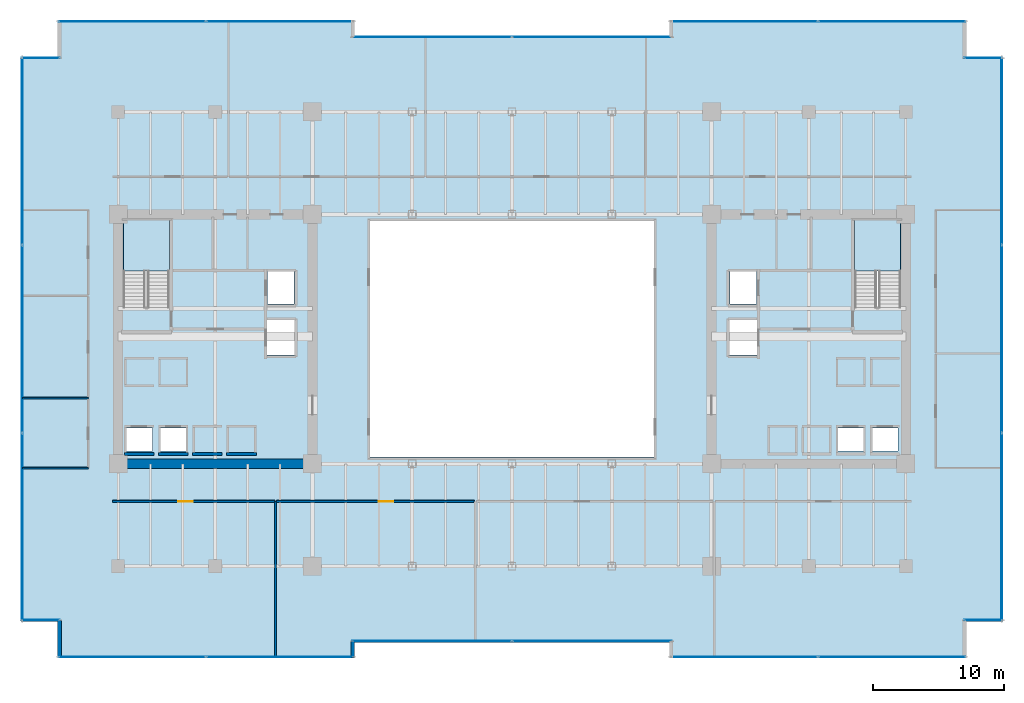
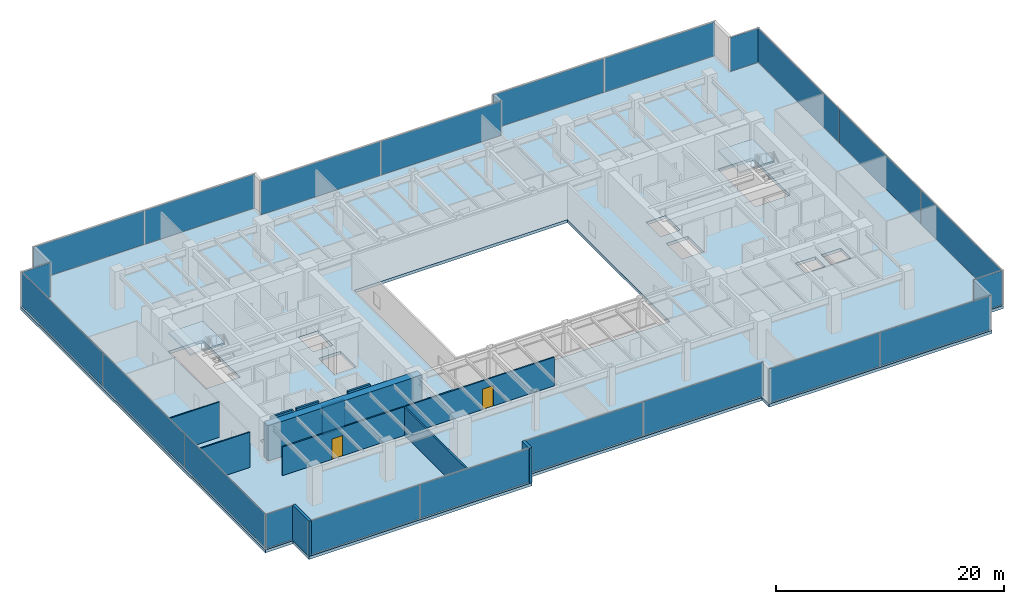
# One storey, part 28 of 35: 22 plates, 12 walls, 3 slabs, 2 doors, 2 openings, 14 elements without a shape of their own.
"""IFC4 building model written with IfcOpenShell, lengths in metres."""

from ifc_helpers import new_model, si_unit, direction, frame, frame_2d, origin, origin_2d, place, context, subcontext, project, spatial, polyline, rectangle, outline, extrude, source, transform, mapped, material, layer, layer_set, type_object, type_shapes, element, fill, aggregate, save


model = new_model("IFC4")

# Units and contexts
model_context = context("Model", 3, precision=1e-05, world=origin(), true_north=direction((0.0, 1.0)))
body_context = subcontext(model_context, "Body", "Model", "MODEL_VIEW")
ifc_project = project(units=[si_unit("LENGTHUNIT", "METRE"), si_unit("AREAUNIT", "SQUARE_METRE"), si_unit("VOLUMEUNIT", "CUBIC_METRE"), si_unit("PLANEANGLEUNIT", "RADIAN"), si_unit("MASSUNIT", "GRAM", prefix="KILO")], contexts=[model_context])

# Site, building, storey
site_placement = place(None, origin())
site = spatial("IfcSite", under=ifc_project, at=site_placement, CompositionType="ELEMENT")
building_placement = place(site_placement, origin())
building = spatial("IfcBuilding", under=site, at=building_placement, Name="Haelvirn Gate Laboratories", CompositionType="ELEMENT")
storey_placement = place(building_placement, frame((0.0, 0.0, 37.5)))
storey = spatial("IfcBuildingStorey", under=building, at=storey_placement, Name="L09", CompositionType="ELEMENT", Elevation=37.5)

# Stair, slab
ifc_material_1 = material(Name="Concrete C40/50", Category="concrete")
stair_type = type_object("IfcStairType", Name="ST-DOG-1650-R22", PredefinedType="HALF_TURN_STAIR", material=ifc_material_1)
stair_1_placement = place(storey_placement, origin())
stair_1 = element("IfcStair", 1, at=stair_1_placement, inside=storey, type_object=stair_type, Name="L09 Escape Stair ST1", PredefinedType="HALF_TURN_STAIR")
ifc_layer_1 = layer(ifc_material_1, 0.199951171875, Name="SL-STAIR-LND")
ifc_layer_set_1 = layer_set([ifc_layer_1], Name="Concrete C40/50")
slab_type_1 = type_object("IfcSlabType", Name="SL-STAIR-LND", PredefinedType="LANDING", material=ifc_layer_set_1)
slab_1_placement = place(storey_placement, frame((0.0, 0.0, 1.85009765625)))
slab_1 = element("IfcSlab", 2, at=slab_1_placement, type_object=slab_type_1, Name="ST1 landing 1", PredefinedType="LANDING", context=body_context, shape_type="SweptSolid", body=[
    extrude(outline(polyline([(11.300048828125, 29.5), (11.300048828125, 33.35009765625), (7.800048828125, 33.35009765625), (7.800048828125, 29.5), (11.300048828125, 29.5)])), origin(), (0.0, 0.0, 1.0), 0.199951171875),
])
aggregate(stair_1, [slab_1])

stair_2_placement = place(storey_placement, origin())
stair_2 = element("IfcStair", 3, at=stair_2_placement, inside=storey, type_object=stair_type, Name="L09 Escape Stair ST2", PredefinedType="HALF_TURN_STAIR")
slab_2_placement = place(storey_placement, frame((0.0, 0.0, 1.85009765625)))
slab_2 = element("IfcSlab", 4, at=slab_2_placement, type_object=slab_type_1, Name="ST2 landing 1", PredefinedType="LANDING", context=body_context, shape_type="SweptSolid", body=[
    extrude(outline(polyline([(67.0, 29.5), (67.0, 33.35009765625), (63.5, 33.35009765625), (63.5, 29.5), (67.0, 29.5)])), origin(), (0.0, 0.0, 1.0), 0.199951171875),
])
aggregate(stair_2, [slab_2])

# Slab
ifc_material_2 = material(Name="Concrete C50/60", Category="concrete")
ifc_layer_2 = layer(ifc_material_2, 0.320068359375, Name="SL-Z1-320")
ifc_layer_set_2 = layer_set([ifc_layer_2], Name="Concrete C50/60")
slab_type_2 = type_object("IfcSlabType", Name="SL-Z1-320", PredefinedType="FLOOR", material=ifc_layer_set_2)
slab_3_placement = place(storey_placement, frame((0.0, 0.0, -0.320068359375)))
element("IfcSlab", 5, at=slab_3_placement, inside=storey, type_object=slab_type_2, Name="L09 Structural Slab MAIN", PredefinedType="FLOOR", context=body_context, shape_type="SweptSolid", body=[
    extrude(outline(polyline([(2.800048828125, 0.0), (25.39990234375, 0.0), (25.39990234375, 1.199951171875), (49.39990234375, 1.199951171875), (49.39990234375, 0.0), (72.0, 0.0), (72.0, 2.800048828125), (74.800048828125, 2.800048828125), (74.800048828125, 45.800048828125), (72.0, 45.800048828125), (72.0, 48.60009765625), (49.39990234375, 48.60009765625), (49.39990234375, 47.39990234375), (25.39990234375, 47.39990234375), (25.39990234375, 48.60009765625), (2.800048828125, 48.60009765625), (2.800048828125, 45.800048828125), (0.0, 45.800048828125), (0.0, 2.800048828125), (2.800048828125, 2.800048828125), (2.800048828125, 0.0)]), holes=[polyline([(26.60009765625, 15.300048828125), (48.199951171875, 15.300048828125), (48.199951171875, 33.300048828125), (26.60009765625, 33.300048828125), (26.60009765625, 15.300048828125)]), polyline([(11.300048828125, 26.780029296875), (11.300048828125, 33.35009765625), (7.800048828125, 33.35009765625), (7.800048828125, 26.780029296875), (11.300048828125, 26.780029296875)]), polyline([(67.0, 26.780029296875), (67.0, 33.35009765625), (63.5, 33.35009765625), (63.5, 26.780029296875), (67.0, 26.780029296875)]), polyline([(7.989990234375, 15.77001953125), (10.010009765625, 15.77001953125), (10.010009765625, 17.510009765625), (7.989990234375, 17.510009765625), (7.989990234375, 15.77001953125)]), polyline([(10.590087890625, 15.77001953125), (12.610107421875, 15.77001953125), (12.610107421875, 17.510009765625), (10.590087890625, 17.510009765625), (10.590087890625, 15.77001953125)]), polyline([(18.7900390625, 26.969970703125), (20.81005859375, 26.969970703125), (20.81005859375, 29.510009765625), (18.7900390625, 29.510009765625), (18.7900390625, 26.969970703125)]), polyline([(18.68994140625, 23.070068359375), (20.909912109375, 23.070068359375), (20.909912109375, 25.81005859375), (18.68994140625, 25.81005859375), (18.68994140625, 23.070068359375)]), polyline([(64.7900390625, 15.77001953125), (66.81005859375, 15.77001953125), (66.81005859375, 17.510009765625), (64.7900390625, 17.510009765625), (64.7900390625, 15.77001953125)]), polyline([(62.18994140625, 15.77001953125), (64.2099609375, 15.77001953125), (64.2099609375, 17.510009765625), (62.18994140625, 17.510009765625), (62.18994140625, 15.77001953125)]), polyline([(53.989990234375, 26.969970703125), (56.010009765625, 26.969970703125), (56.010009765625, 29.510009765625), (53.989990234375, 29.510009765625), (53.989990234375, 26.969970703125)]), polyline([(53.889892578125, 23.070068359375), (56.110107421875, 23.070068359375), (56.110107421875, 25.81005859375), (53.889892578125, 25.81005859375), (53.889892578125, 23.070068359375)])]), origin(), (0.0, 0.0, 1.0), 0.320068359375),
])

# Curtain wall, plates
ifc_material_3 = material(Name="Anodised bronze unitised aluminium & triple low-E glass", Category="aluminium")
ifc_layer_3 = layer(ifc_material_3, 0.18408203125, Name="CW-SYS-2")
ifc_layer_set_3 = layer_set([ifc_layer_3], Name="Anodised bronze unitised aluminium & triple low-E glass")
curtain_wall_type_1 = type_object("IfcCurtainWallType", Name="CW-SYS-2", PredefinedType="NOTDEFINED", material=ifc_layer_set_3)
curtain_wall_1_placement = place(storey_placement, origin())
curtain_wall_1 = element("IfcCurtainWall", 6, at=curtain_wall_1_placement, inside=storey, type_object=curtain_wall_type_1, Name="L09 Unitised Curtain Wall CW-L09-P0-E02-1", PredefinedType="NOTDEFINED")
ifc_material_4 = material(Name="Bronze solar-control triple low-E IGU 44 mm", Category="glass")
ifc_layer_4 = layer(ifc_material_4, 0.0439453125, Name="CWP-IGU-44")
ifc_layer_set_4 = layer_set([ifc_layer_4], Name="Bronze solar-control triple low-E IGU 44 mm")
plate_type_1 = type_object("IfcPlateType", Name="CWP-IGU-44", PredefinedType="CURTAIN_PANEL", material=ifc_layer_set_4)
shared_shape_1 = source(origin(), body_context, "Body", "SweptSolid", [
    extrude(rectangle(XDim=12.12744140625, YDim=0.0439453125, at=origin_2d()), origin(), (0.0, 0.0, 1.0), 3.639892578125),
])
plate_1_placement = place(storey_placement, frame((31.298828125, 1.300048828125, 0.06982421875), z_axis=(0.0, 0.0, 1.0), x_axis=(1.0, 0.0, 0.0)))
plate_1 = element("IfcPlate", 7, at=plate_1_placement, type_object=plate_type_1, Name="CW2 panel 1.1", PredefinedType="CURTAIN_PANEL", context=body_context, shape_type="MappedRepresentation", body=[
    mapped(shared_shape_1, transform((0.0, 0.0, 0.0), scale=1.0)),
])
plate_2_placement = place(storey_placement, frame((43.501220703125, 1.300048828125, 0.06982421875), z_axis=(0.0, 0.0, 1.0), x_axis=(1.0, 0.0, 0.0)))
plate_2 = element("IfcPlate", 8, at=plate_2_placement, type_object=plate_type_1, Name="CW2 panel 2.1", PredefinedType="CURTAIN_PANEL", context=body_context, shape_type="MappedRepresentation", body=[
    mapped(shared_shape_1, transform((0.0, 0.0, 0.0), scale=1.0)),
])
aggregate(curtain_wall_1, [plate_1, plate_2])

curtain_wall_2_placement = place(storey_placement, origin())
curtain_wall_2 = element("IfcCurtainWall", 9, at=curtain_wall_2_placement, inside=storey, type_object=curtain_wall_type_1, Name="L09 Unitised Curtain Wall CW-L09-P0-E12-1", PredefinedType="NOTDEFINED")
plate_3_placement = place(storey_placement, frame((31.298828125, 47.300048828125, 0.06982421875), z_axis=(0.0, 0.0, 1.0), x_axis=(1.0, 0.0, 0.0)))
plate_3 = element("IfcPlate", 10, at=plate_3_placement, type_object=plate_type_1, Name="CW2 panel 1.1", PredefinedType="CURTAIN_PANEL", context=body_context, shape_type="MappedRepresentation", body=[
    mapped(shared_shape_1, transform((0.0, 0.0, 0.0), scale=1.0)),
])
plate_4_placement = place(storey_placement, frame((43.501220703125, 47.300048828125, 0.06982421875), z_axis=(0.0, 0.0, 1.0), x_axis=(1.0, 0.0, 0.0)))
plate_4 = element("IfcPlate", 11, at=plate_4_placement, type_object=plate_type_1, Name="CW2 panel 2.1", PredefinedType="CURTAIN_PANEL", context=body_context, shape_type="MappedRepresentation", body=[
    mapped(shared_shape_1, transform((0.0, 0.0, 0.0), scale=1.0)),
])
aggregate(curtain_wall_2, [plate_3, plate_4])

curtain_wall_3_placement = place(storey_placement, origin())
curtain_wall_3 = element("IfcCurtainWall", 12, at=curtain_wall_3_placement, inside=storey, type_object=curtain_wall_type_1, Name="L09 Unitised Curtain Wall CW-L09-P0-E00-1", PredefinedType="NOTDEFINED")
shared_shape_2 = source(origin(), body_context, "Body", "SweptSolid", [
    extrude(rectangle(XDim=11.1875, YDim=0.0439453125, at=origin_2d()), origin(), (0.0, 0.0, 1.0), 3.639892578125),
])
plate_5_placement = place(storey_placement, frame((8.46875, 0.10009765625, 0.06982421875), z_axis=(0.0, 0.0, 1.0), x_axis=(1.0, 0.0, 0.0)))
plate_5 = element("IfcPlate", 13, at=plate_5_placement, type_object=plate_type_1, Name="CW2 panel 1.1", PredefinedType="CURTAIN_PANEL", context=body_context, shape_type="MappedRepresentation", body=[
    mapped(shared_shape_2, transform((0.0, 0.0, 0.0), scale=1.0)),
])
plate_6_placement = place(storey_placement, frame((19.731201171875, 0.10009765625, 0.06982421875), z_axis=(0.0, 0.0, 1.0), x_axis=(1.0, 0.0, 0.0)))
plate_6 = element("IfcPlate", 14, at=plate_6_placement, type_object=plate_type_1, Name="CW2 panel 2.1", PredefinedType="CURTAIN_PANEL", context=body_context, shape_type="MappedRepresentation", body=[
    mapped(shared_shape_2, transform((0.0, 0.0, 0.0), scale=1.0)),
])
aggregate(curtain_wall_3, [plate_5, plate_6])

curtain_wall_4_placement = place(storey_placement, origin())
curtain_wall_4 = element("IfcCurtainWall", 15, at=curtain_wall_4_placement, inside=storey, type_object=curtain_wall_type_1, Name="L09 Unitised Curtain Wall CW-L09-P0-E04-1", PredefinedType="NOTDEFINED")
plate_7_placement = place(storey_placement, frame((55.06884765625, 0.10009765625, 0.06982421875), z_axis=(0.0, 0.0, 1.0), x_axis=(1.0, 0.0, 0.0)))
plate_7 = element("IfcPlate", 16, at=plate_7_placement, type_object=plate_type_1, Name="CW2 panel 1.1", PredefinedType="CURTAIN_PANEL", context=body_context, shape_type="MappedRepresentation", body=[
    mapped(shared_shape_2, transform((0.0, 0.0, 0.0), scale=1.0)),
])
plate_8_placement = place(storey_placement, frame((66.331298828125, 0.10009765625, 0.06982421875), z_axis=(0.0, 0.0, 1.0), x_axis=(1.0, 0.0, 0.0)))
plate_8 = element("IfcPlate", 17, at=plate_8_placement, type_object=plate_type_1, Name="CW2 panel 2.1", PredefinedType="CURTAIN_PANEL", context=body_context, shape_type="MappedRepresentation", body=[
    mapped(shared_shape_2, transform((0.0, 0.0, 0.0), scale=1.0)),
])
aggregate(curtain_wall_4, [plate_7, plate_8])

curtain_wall_5_placement = place(storey_placement, origin())
curtain_wall_5 = element("IfcCurtainWall", 18, at=curtain_wall_5_placement, inside=storey, type_object=curtain_wall_type_1, Name="L09 Unitised Curtain Wall CW-L09-P0-E10-1", PredefinedType="NOTDEFINED")
plate_9_placement = place(storey_placement, frame((55.06884765625, 48.5, 0.06982421875), z_axis=(0.0, 0.0, 1.0), x_axis=(1.0, 0.0, 0.0)))
plate_9 = element("IfcPlate", 19, at=plate_9_placement, type_object=plate_type_1, Name="CW2 panel 1.1", PredefinedType="CURTAIN_PANEL", context=body_context, shape_type="MappedRepresentation", body=[
    mapped(shared_shape_2, transform((0.0, 0.0, 0.0), scale=1.0)),
])
plate_10_placement = place(storey_placement, frame((66.331298828125, 48.5, 0.06982421875), z_axis=(0.0, 0.0, 1.0), x_axis=(1.0, 0.0, 0.0)))
plate_10 = element("IfcPlate", 20, at=plate_10_placement, type_object=plate_type_1, Name="CW2 panel 2.1", PredefinedType="CURTAIN_PANEL", context=body_context, shape_type="MappedRepresentation", body=[
    mapped(shared_shape_2, transform((0.0, 0.0, 0.0), scale=1.0)),
])
aggregate(curtain_wall_5, [plate_9, plate_10])

curtain_wall_6_placement = place(storey_placement, origin())
curtain_wall_6 = element("IfcCurtainWall", 21, at=curtain_wall_6_placement, inside=storey, type_object=curtain_wall_type_1, Name="L09 Unitised Curtain Wall CW-L09-P0-E14-1", PredefinedType="NOTDEFINED")
plate_11_placement = place(storey_placement, frame((8.46875, 48.5, 0.06982421875), z_axis=(0.0, 0.0, 1.0), x_axis=(1.0, 0.0, 0.0)))
plate_11 = element("IfcPlate", 22, at=plate_11_placement, type_object=plate_type_1, Name="CW2 panel 1.1", PredefinedType="CURTAIN_PANEL", context=body_context, shape_type="MappedRepresentation", body=[
    mapped(shared_shape_2, transform((0.0, 0.0, 0.0), scale=1.0)),
])
plate_12_placement = place(storey_placement, frame((19.731201171875, 48.5, 0.06982421875), z_axis=(0.0, 0.0, 1.0), x_axis=(1.0, 0.0, 0.0)))
plate_12 = element("IfcPlate", 23, at=plate_12_placement, type_object=plate_type_1, Name="CW2 panel 2.1", PredefinedType="CURTAIN_PANEL", context=body_context, shape_type="MappedRepresentation", body=[
    mapped(shared_shape_2, transform((0.0, 0.0, 0.0), scale=1.0)),
])
aggregate(curtain_wall_6, [plate_11, plate_12])

# Curtain wall, plate
ifc_layer_5 = layer(ifc_material_3, 0.181884765625, Name="CW-SYS-5")
ifc_layer_set_5 = layer_set([ifc_layer_5], Name="Anodised bronze unitised aluminium & triple low-E glass")
curtain_wall_type_2 = type_object("IfcCurtainWallType", Name="CW-SYS-5", PredefinedType="NOTDEFINED", material=ifc_layer_set_5)
curtain_wall_7_placement = place(storey_placement, origin())
curtain_wall_7 = element("IfcCurtainWall", 24, at=curtain_wall_7_placement, inside=storey, type_object=curtain_wall_type_2, Name="L09 Unitised Curtain Wall CW-L09-P0-E06-1", PredefinedType="NOTDEFINED")
ifc_material_5 = material(Name="Clear low-iron notched-corner triple IGU 42 mm", Category="glass")
ifc_layer_6 = layer(ifc_material_5, 0.0419921875, Name="CWP-NTC-42")
ifc_layer_set_6 = layer_set([ifc_layer_6], Name="Clear low-iron notched-corner triple IGU 42 mm")
plate_type_2 = type_object("IfcPlateType", Name="CWP-NTC-42", PredefinedType="CURTAIN_PANEL", material=ifc_layer_set_6)
shared_shape_3 = source(origin(), body_context, "Body", "SweptSolid", [
    extrude(rectangle(XDim=2.8798828125, YDim=0.0419921875, at=origin_2d()), origin(), (0.0, 0.0, 1.0), 3.64990234375),
])
type_shapes(plate_type_2, [shared_shape_3])
plate_13_placement = place(storey_placement, frame((73.280029296875, 2.89990234375, 0.06494140625), z_axis=(0.0, 0.0, 1.0), x_axis=(1.0, 0.0, 0.0)))
plate_13 = element("IfcPlate", 25, at=plate_13_placement, type_object=plate_type_2, Name="CW5 panel 1.1", PredefinedType="CURTAIN_PANEL", context=body_context, shape_type="MappedRepresentation", body=[
    mapped(shared_shape_3, transform((0.0, 0.0, 0.0), scale=1.0)),
])
aggregate(curtain_wall_7, [plate_13])

curtain_wall_8_placement = place(storey_placement, origin())
curtain_wall_8 = element("IfcCurtainWall", 26, at=curtain_wall_8_placement, inside=storey, type_object=curtain_wall_type_2, Name="L09 Unitised Curtain Wall CW-L09-P0-E08-1", PredefinedType="NOTDEFINED")
plate_14_placement = place(storey_placement, frame((73.280029296875, 45.699951171875, 0.06494140625), z_axis=(0.0, 0.0, 1.0), x_axis=(1.0, 0.0, 0.0)))
plate_14 = element("IfcPlate", 27, at=plate_14_placement, type_object=plate_type_2, Name="CW5 panel 1.1", PredefinedType="CURTAIN_PANEL", context=body_context, shape_type="MappedRepresentation", body=[
    mapped(shared_shape_3, transform((0.0, 0.0, 0.0), scale=1.0)),
])
aggregate(curtain_wall_8, [plate_14])

curtain_wall_9_placement = place(storey_placement, origin())
curtain_wall_9 = element("IfcCurtainWall", 28, at=curtain_wall_9_placement, inside=storey, type_object=curtain_wall_type_2, Name="L09 Unitised Curtain Wall CW-L09-P0-E16-1", PredefinedType="NOTDEFINED")
plate_15_placement = place(storey_placement, frame((1.52001953125, 45.699951171875, 0.06494140625), z_axis=(0.0, 0.0, 1.0), x_axis=(1.0, 0.0, 0.0)))
plate_15 = element("IfcPlate", 29, at=plate_15_placement, type_object=plate_type_2, Name="CW5 panel 1.1", PredefinedType="CURTAIN_PANEL", context=body_context, shape_type="MappedRepresentation", body=[
    mapped(shared_shape_3, transform((0.0, 0.0, 0.0), scale=1.0)),
])
aggregate(curtain_wall_9, [plate_15])

curtain_wall_10_placement = place(storey_placement, origin())
curtain_wall_10 = element("IfcCurtainWall", 30, at=curtain_wall_10_placement, inside=storey, type_object=curtain_wall_type_2, Name="L09 Unitised Curtain Wall CW-L09-P0-E18-1", PredefinedType="NOTDEFINED")
plate_16_placement = place(storey_placement, frame((1.52001953125, 2.89990234375, 0.06494140625), z_axis=(0.0, 0.0, 1.0), x_axis=(1.0, 0.0, 0.0)))
plate_16 = element("IfcPlate", 31, at=plate_16_placement, type_object=plate_type_2, Name="CW5 panel 1.1", PredefinedType="CURTAIN_PANEL", context=body_context, shape_type="MappedRepresentation", body=[
    mapped(shared_shape_3, transform((0.0, 0.0, 0.0), scale=1.0)),
])
aggregate(curtain_wall_10, [plate_16])

# Curtain wall, plates
curtain_wall_11_placement = place(storey_placement, origin())
curtain_wall_11 = element("IfcCurtainWall", 32, at=curtain_wall_11_placement, inside=storey, type_object=curtain_wall_type_1, Name="L09 Unitised Curtain Wall CW-L09-P0-E07", PredefinedType="NOTDEFINED")
shared_shape_4 = source(origin(), body_context, "Body", "SweptSolid", [
    extrude(rectangle(XDim=14.220947265625, YDim=0.0439453125, at=origin_2d()), origin(), (0.0, 0.0, 1.0), 3.639892578125),
])
plate_17_placement = place(storey_placement, frame((74.699951171875, 9.9853515625, 0.06982421875), z_axis=(0.0, 0.0, 1.0), x_axis=(0.0, 1.0, 0.0)))
plate_17 = element("IfcPlate", 33, at=plate_17_placement, type_object=plate_type_1, Name="CW2 panel 1.1", PredefinedType="CURTAIN_PANEL", context=body_context, shape_type="MappedRepresentation", body=[
    mapped(shared_shape_4, transform((0.0, 0.0, 0.0), scale=1.0)),
])
plate_18_placement = place(storey_placement, frame((74.699951171875, 38.614501953125, 0.06982421875), z_axis=(0.0, 0.0, 1.0), x_axis=(0.0, 1.0, 0.0)))
plate_18 = element("IfcPlate", 34, at=plate_18_placement, type_object=plate_type_1, Name="CW2 panel 3.1", PredefinedType="CURTAIN_PANEL", context=body_context, shape_type="MappedRepresentation", body=[
    mapped(shared_shape_4, transform((0.0, 0.0, 0.0), scale=1.0)),
])

curtain_wall_12_placement = place(storey_placement, origin())
curtain_wall_12 = element("IfcCurtainWall", 35, at=curtain_wall_12_placement, inside=storey, type_object=curtain_wall_type_1, Name="L09 Unitised Curtain Wall CW-L09-P0-E17", PredefinedType="NOTDEFINED")
plate_19_placement = place(storey_placement, frame((0.10009765625, 38.614501953125, 0.06982421875), z_axis=(0.0, 0.0, 1.0), x_axis=(0.0, -1.0, 0.0)))
plate_19 = element("IfcPlate", 36, at=plate_19_placement, type_object=plate_type_1, Name="CW2 panel 1.1", PredefinedType="CURTAIN_PANEL", context=body_context, shape_type="MappedRepresentation", body=[
    mapped(shared_shape_4, transform((0.0, 0.0, 0.0), scale=1.0)),
])
plate_20_placement = place(storey_placement, frame((0.10009765625, 9.9853515625, 0.06982421875), z_axis=(0.0, 0.0, 1.0), x_axis=(0.0, -1.0, 0.0)))
plate_20 = element("IfcPlate", 37, at=plate_20_placement, type_object=plate_type_1, Name="CW2 panel 3.1", PredefinedType="CURTAIN_PANEL", context=body_context, shape_type="MappedRepresentation", body=[
    mapped(shared_shape_4, transform((0.0, 0.0, 0.0), scale=1.0)),
])

# Plate
shared_shape_5 = source(origin(), body_context, "Body", "SweptSolid", [
    extrude(rectangle(XDim=14.25830078125, YDim=0.0439453125, at=origin_2d()), origin(), (0.0, 0.0, 1.0), 3.639892578125),
])
type_shapes(plate_type_1, [shared_shape_1, shared_shape_2, shared_shape_4, shared_shape_5])
plate_21_placement = place(storey_placement, frame((74.699951171875, 24.300048828125, 0.06982421875), z_axis=(0.0, 0.0, 1.0), x_axis=(0.0, 1.0, 0.0)))
plate_21 = element("IfcPlate", 38, at=plate_21_placement, type_object=plate_type_1, Name="CW2 panel 2.1", PredefinedType="CURTAIN_PANEL", context=body_context, shape_type="MappedRepresentation", body=[
    mapped(shared_shape_5, transform((0.0, 0.0, 0.0), scale=1.0)),
])

aggregate(curtain_wall_11, [plate_17, plate_21, plate_18])

plate_22_placement = place(storey_placement, frame((0.10009765625, 24.300048828125, 0.06982421875), z_axis=(0.0, 0.0, 1.0), x_axis=(0.0, -1.0, 0.0)))
plate_22 = element("IfcPlate", 39, at=plate_22_placement, type_object=plate_type_1, Name="CW2 panel 2.1", PredefinedType="CURTAIN_PANEL", context=body_context, shape_type="MappedRepresentation", body=[
    mapped(shared_shape_5, transform((0.0, 0.0, 0.0), scale=1.0)),
])

aggregate(curtain_wall_12, [plate_19, plate_22, plate_20])

# Walls
ifc_material_6 = material(Name="Thermally-broken bronze aluminium rainscreen & mineral wool", Category="aluminium")
ifc_layer_7 = layer(ifc_material_6, 0.280029296875, Name="EW-TERR-280")
ifc_layer_set_7 = layer_set([ifc_layer_7], Name="Thermally-broken bronze aluminium rainscreen & mineral wool")
wall_type_1 = type_object("IfcWallType", Name="EW-TERR-280", PredefinedType="STANDARD", material=ifc_layer_set_7)
wall_1_placement = place(storey_placement, frame((25.260009765625, 0.0, 0.0), z_axis=(0.0, 0.0, 1.0), x_axis=(0.0, 1.0, 0.0)))
element("IfcWall", 40, at=wall_1_placement, inside=storey, type_object=wall_type_1, Name="L09 Atrium Recess Bronze Return Wall 01", PredefinedType="STANDARD", context=body_context, shape_type="SweptSolid", body=[
    extrude(rectangle(XDim=1.2880859375, YDim=0.280029296875, at=frame_2d((0.64404296875, 0.0))), origin(), (0.0, 0.0, 1.0), 3.780029296875),
])
wall_2_placement = place(storey_placement, frame((2.93994140625, 2.887939453125, 0.0), z_axis=(0.0, 0.0, 1.0), x_axis=(0.0, -1.0, 0.0)))
element("IfcWall", 41, at=wall_2_placement, inside=storey, type_object=wall_type_1, Name="L09 Atrium Recess Bronze Return Wall 19", PredefinedType="STANDARD", context=body_context, shape_type="SweptSolid", body=[
    extrude(rectangle(XDim=2.887939453125, YDim=0.280029296875, at=frame_2d((1.44384765625, 0.0))), origin(), (0.0, 0.0, 1.0), 3.780029296875),
])
ifc_material_7 = material(Name="Double-layer acoustic gypsum laboratory partition", Category="gypsum")
ifc_layer_8 = layer(ifc_material_7, 0.159912109375, Name="IW-ACOUST-160")
ifc_layer_set_8 = layer_set([ifc_layer_8], Name="Double-layer acoustic gypsum laboratory partition")
wall_type_2 = type_object("IfcWallType", Name="IW-ACOUST-160", PredefinedType="PARTITIONING", material=ifc_layer_set_8)
wall_3_placement = place(storey_placement, frame((19.39990234375, 0.110107421875, 0.0), z_axis=(0.0, 0.0, 1.0), x_axis=(0.0, 1.0, 0.0)))
element("IfcWall", 42, at=wall_3_placement, inside=storey, type_object=wall_type_2, Name="L09 Interior Wall IW-L09-SDIV-01", PredefinedType="PARTITIONING", context=body_context, shape_type="SweptSolid", body=[
    extrude(rectangle(XDim=11.829833984375, YDim=0.159912109375, at=frame_2d((5.9150390625, 0.0))), origin(), (0.0, 0.0, 1.0), 3.014892578125),
])
ifc_material_8 = material(Name="Lightweight acoustic gypsum board partition", Category="gypsum")
ifc_layer_9 = layer(ifc_material_8, 0.1201171875, Name="IW-PART-120")
ifc_layer_set_9 = layer_set([ifc_layer_9], Name="Lightweight acoustic gypsum board partition")
wall_type_3 = type_object("IfcWallType", Name="IW-PART-120", PredefinedType="PARTITIONING", material=ifc_layer_set_9)
for number, where, z_axis, x_axis, name in (
    (43, (0.110107421875, 14.465087890625, 0.0), (0.0, 0.0, 1.0), (1.0, 0.0, 0.0), "L09 Interior Wall IW-L09-WCAP-S"),
    (44, (0.110107421875, 19.800048828125, 0.0), (0.0, 0.0, 1.0), (1.0, 0.0, 0.0), "L09 Interior Wall IW-L09-WDIV-01"),
):
    element("IfcWall", number, at=place(storey_placement, frame(where, z_axis=z_axis, x_axis=x_axis)), inside=storey, type_object=wall_type_3, Name=name, PredefinedType="PARTITIONING", context=body_context, shape_type="SweptSolid", body=[
        extrude(rectangle(XDim=5.019775390625, YDim=0.1201171875, at=frame_2d((2.509765625, 0.0))), origin(), (0.0, 0.0, 1.0), 3.780029296875),
    ])

# Wall, opening, door
ifc_material_9 = material(Name="Acoustic mineral-wool gypsum board partition", Category="gypsum")
ifc_layer_10 = layer(ifc_material_9, 0.139892578125, Name="IW-PART-140")
ifc_layer_set_10 = layer_set([ifc_layer_10], Name="Acoustic mineral-wool gypsum board partition")
wall_type_4 = type_object("IfcWallType", Name="IW-PART-140", PredefinedType="PARTITIONING", material=ifc_layer_set_10)
wall_4_placement = place(storey_placement, frame((6.97998046875, 11.93994140625, 0.0), z_axis=(0.0, 0.0, 1.0), x_axis=(1.0, 0.0, 0.0)))
wall_4 = element("IfcWall", 45, at=wall_4_placement, inside=storey, type_object=wall_type_4, Name="L09 Interior Wall IW-L09-SCORR-01", PredefinedType="PARTITIONING", context=body_context, shape_type="SweptSolid", body=[
    extrude(rectangle(XDim=12.340087890625, YDim=0.139892578125, at=frame_2d((6.169921875, 0.0))), origin(), (0.0, 0.0, 1.0), 3.06494140625),
])
opening_1_placement = place(wall_4_placement, frame((4.987548828125, 0.0, 0.0)))
opening_1 = element("IfcOpeningElement", 46, at=opening_1_placement, cuts=wall_4, Name="Opening D1", PredefinedType="OPENING", context=body_context, shape_type="SweptSolid", body=[
    extrude(rectangle(XDim=1.10009765625, YDim=2.179931640625, at=frame_2d((0.550048828125, 1.08984375))), frame((0.0, 0.080078125, 0.0), z_axis=(0.0, -1.0, 0.0), x_axis=(1.0, 0.0, 0.0)), (0.0, 0.0, 1.0), 0.159912109375),
])
ifc_material_10 = material(Name="Vision-panel acoustic solid-core timber lab door", Category="wood")
door_type = type_object("IfcDoorType", Name="DR-LAB-1100", OperationType="NOTDEFINED", PredefinedType="DOOR", material=ifc_material_10)
shared_shape_6 = source(origin(), body_context, "Body", "SweptSolid", [
    extrude(rectangle(XDim=1.10009765625, YDim=2.179931640625, at=frame_2d((0.550048828125, 1.08984375))), frame((0.0, 0.02490234375, 0.0), z_axis=(0.0, -1.0, 0.0), x_axis=(1.0, 0.0, 0.0)), (0.0, 0.0, 1.0), 0.050048828125),
])
type_shapes(door_type, [shared_shape_6])
door_1_placement = place(opening_1_placement, origin())
door_1 = element("IfcDoor", 47, at=door_1_placement, inside=storey, type_object=door_type, Name="L09 Bioinformatics Dry-Lab Workspace Door S1", OperationType="SINGLE_SWING_RIGHT", OverallHeight=2.179931640625, OverallWidth=1.10009765625, PredefinedType="DOOR", context=body_context, shape_type="MappedRepresentation", body=[
    mapped(shared_shape_6, transform((0.0, 0.0, 0.0), scale=1.0)),
])
fill(opening_1, door_1)

wall_5_placement = place(storey_placement, frame((19.47998046875, 11.93994140625, 0.0), z_axis=(0.0, 0.0, 1.0), x_axis=(1.0, 0.0, 0.0)))
wall_5 = element("IfcWall", 48, at=wall_5_placement, inside=storey, type_object=wall_type_4, Name="L09 Interior Wall IW-L09-SCORR-02", PredefinedType="PARTITIONING", context=body_context, shape_type="SweptSolid", body=[
    extrude(rectangle(XDim=15.0400390625, YDim=0.139892578125, at=frame_2d((7.52001953125, 0.0))), origin(), (0.0, 0.0, 1.0), 3.06494140625),
])
opening_2_placement = place(wall_5_placement, frame((7.764404296875, 0.0, 0.0)))
opening_2 = element("IfcOpeningElement", 49, at=opening_2_placement, cuts=wall_5, Name="Opening D1", PredefinedType="OPENING", context=body_context, shape_type="SweptSolid", body=[
    extrude(rectangle(XDim=1.10009765625, YDim=2.179931640625, at=frame_2d((0.550048828125, 1.08984375))), frame((0.0, 0.080078125, 0.0), z_axis=(0.0, -1.0, 0.0), x_axis=(1.0, 0.0, 0.0)), (0.0, 0.0, 1.0), 0.159912109375),
])
door_2_placement = place(opening_2_placement, origin())
door_2 = element("IfcDoor", 50, at=door_2_placement, inside=storey, type_object=door_type, Name="L09 Translational Data Office Door S2", OperationType="SINGLE_SWING_LEFT", OverallHeight=2.179931640625, OverallWidth=1.10009765625, PredefinedType="DOOR", context=body_context, shape_type="MappedRepresentation", body=[
    mapped(shared_shape_6, transform((0.0, 0.0, 0.0), scale=1.0)),
])
fill(opening_2, door_2)

# Walls
ifc_layer_11 = layer(ifc_material_1, 0.199951171875, Name="IW-SHAFT-200")
ifc_layer_set_11 = layer_set([ifc_layer_11], Name="Concrete C40/50")
wall_type_5 = type_object("IfcWallType", Name="IW-SHAFT-200", PredefinedType="SOLIDWALL", material=ifc_layer_set_11)
wall_6_placement = place(storey_placement, frame((7.8701171875, 15.550048828125, 0.0), z_axis=(0.0, 0.0, 1.0), x_axis=(1.0, 0.0, 0.0)))
element("IfcWall", 51, at=wall_6_placement, inside=storey, type_object=wall_type_5, Name="L09 Interior Wall IW-L09-PL1-BK", PredefinedType="SOLIDWALL", context=body_context, shape_type="SweptSolid", body=[
    extrude(rectangle(XDim=2.259765625, YDim=0.199951171875, at=frame_2d((1.1298828125, 0.0))), origin(), (0.0, 0.0, 1.0), 3.780029296875),
])
wall_7_placement = place(storey_placement, frame((10.469970703125, 15.550048828125, 0.0), z_axis=(0.0, 0.0, 1.0), x_axis=(1.0, 0.0, 0.0)))
element("IfcWall", 52, at=wall_7_placement, inside=storey, type_object=wall_type_5, Name="L09 Interior Wall IW-L09-PL2-BK", PredefinedType="SOLIDWALL", context=body_context, shape_type="SweptSolid", body=[
    extrude(rectangle(XDim=2.260009765625, YDim=0.199951171875, at=frame_2d((1.1298828125, 0.0))), origin(), (0.0, 0.0, 1.0), 3.780029296875),
])
wall_8_placement = place(storey_placement, frame((13.070068359375, 15.550048828125, 0.0), z_axis=(0.0, 0.0, 1.0), x_axis=(1.0, 0.0, 0.0)))
element("IfcWall", 53, at=wall_8_placement, inside=storey, type_object=wall_type_5, Name="L09 Interior Wall IW-L09-PL5-BK", PredefinedType="SOLIDWALL", context=body_context, shape_type="SweptSolid", body=[
    extrude(rectangle(XDim=2.260009765625, YDim=0.199951171875, at=frame_2d((1.1298828125, 0.0))), origin(), (0.0, 0.0, 1.0), 3.06494140625),
])
wall_9_placement = place(storey_placement, frame((15.669921875, 15.550048828125, 0.0), z_axis=(0.0, 0.0, 1.0), x_axis=(1.0, 0.0, 0.0)))
element("IfcWall", 54, at=wall_9_placement, inside=storey, type_object=wall_type_5, Name="L09 Interior Wall IW-L09-PL6-BK", PredefinedType="SOLIDWALL", context=body_context, shape_type="SweptSolid", body=[
    extrude(rectangle(XDim=2.260009765625, YDim=0.199951171875, at=frame_2d((1.1298828125, 0.0))), origin(), (0.0, 0.0, 1.0), 3.780029296875),
])
ifc_material_11 = material(Name="Concrete C70/85", Category="concrete")
ifc_layer_12 = layer(ifc_material_11, 0.75, Name="SW-CORE-750")
ifc_layer_set_12 = layer_set([ifc_layer_12], Name="Concrete C70/85")
wall_type_6 = type_object("IfcWallType", Name="SW-CORE-750", PredefinedType="SHEAR", material=ifc_layer_set_12)
wall_10_placement = place(storey_placement, frame((7.02490234375, 14.800048828125, 0.0), z_axis=(0.0, 0.0, 1.0), x_axis=(1.0, 0.0, 0.0)))
element("IfcWall", 55, at=wall_10_placement, inside=storey, type_object=wall_type_6, Name="L09 W Core Shear Wall S", PredefinedType="SHEAR", context=body_context, shape_type="SweptSolid", body=[
    extrude(rectangle(XDim=15.550048828125, YDim=0.75, at=frame_2d((7.77490234375, 0.0))), origin(), (0.0, 0.0, 1.0), 3.780029296875),
])

save(model, "model.ifc")
